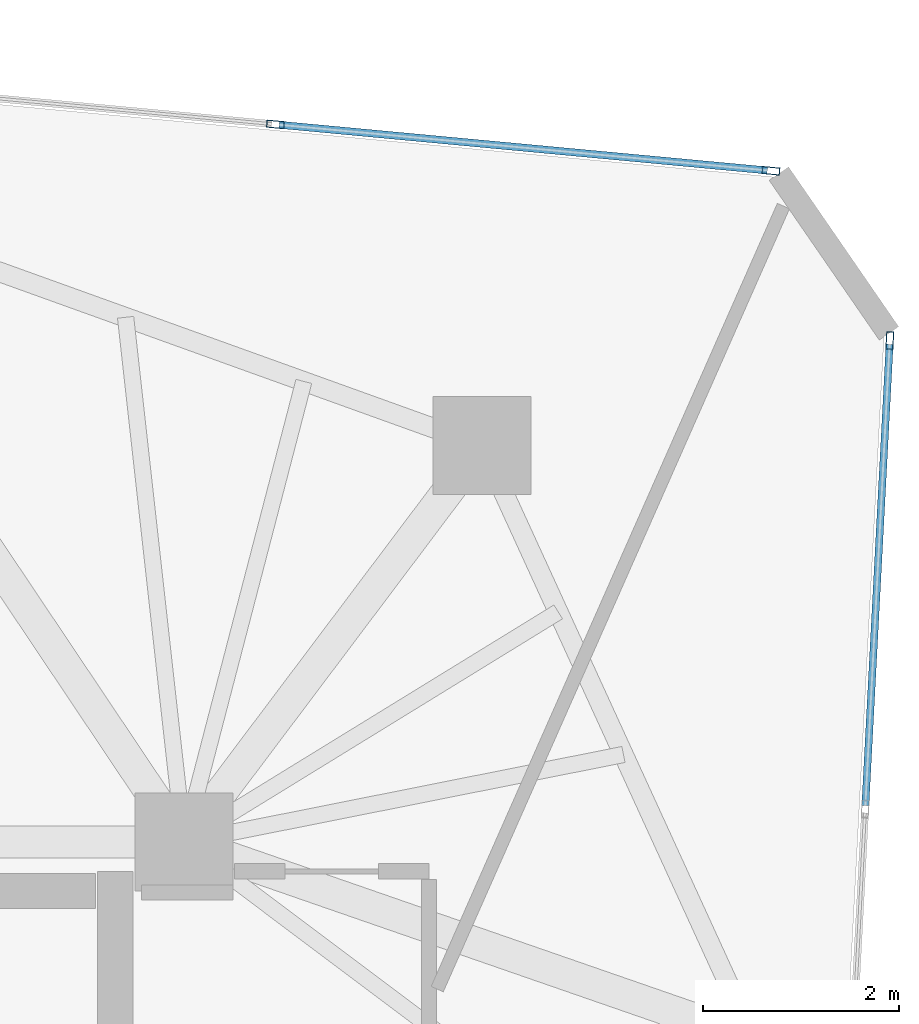
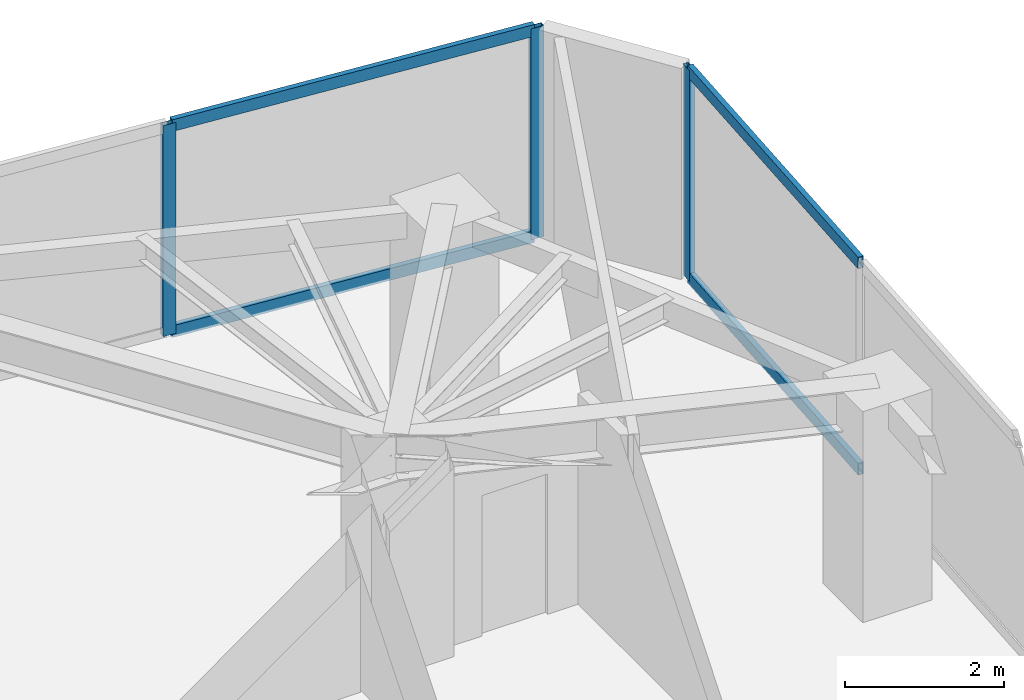
# One storey, part 14 of 19: 7 members, 2 elements without a shape of their own.
"""IFC4 building model written with IfcOpenShell, lengths in metres."""

import ifcopenshell
import ifcopenshell.guid

model = None  # the IFC model being written
_history = None  # IfcOwnerHistory: only IFC2X3 demands one
_inside = {}  # id of a spatial element -> (the spatial element, [elements in it])
_under = {}  # id of a project, library or spatial element -> (it, [spatial elements below it])
_declared = {}  # id of a project -> (the project, [libraries it declares])
_typed = {}  # id of a type object -> (the type object, [elements of that type])
_made_of = {}  # id of a material, layer set ... -> (it, [elements and type objects made of it])


def new_model(schema):
    """Start an empty IFC model of exactly this schema.

    Asked for "IFC4X3", IfcOpenShell would pick the latest addendum, in which some entities
    have other attributes; the version numbers below select the first issue.
    IFC2X3 requires an IfcOwnerHistory on every rooted entity: one is made here for all.
    """
    global model, _history
    if schema == "IFC4X3":
        model = ifcopenshell.file(schema_version=(4, 3, 0, 0))
    else:
        model = ifcopenshell.file(schema=schema)
    _inside.clear()
    _under.clear()
    _declared.clear()
    _typed.clear()
    _made_of.clear()
    _history = None
    if model.schema == "IFC2X3":
        org = make("IfcOrganization", Name="unknown")
        user = make(
            "IfcPersonAndOrganization",
            ThePerson=make("IfcPerson", FamilyName="unknown"),
            TheOrganization=org,
        )
        app = make(
            "IfcApplication",
            ApplicationDeveloper=org,
            Version="unknown",
            ApplicationFullName="unknown",
            ApplicationIdentifier="unknown",
        )
        _history = make(
            "IfcOwnerHistory",
            OwningUser=user,
            OwningApplication=app,
            ChangeAction="ADDED",
            CreationDate=0,
        )
    return model


def make(cls, **values):
    """One entity of the class cls with the attributes given. An attribute that is None is left unset."""
    return model.create_entity(
        cls, **{name: value for name, value in values.items() if value is not None}
    )


def rooted(cls, **values):
    """An entity with a GlobalId (a new one), such as an element, a storey or a relation."""
    return make(cls, GlobalId=ifcopenshell.guid.new(), OwnerHistory=_history, **values)


def si_unit(unit_type, name, prefix=None):
    """IfcSIUnit, for example si_unit("LENGTHUNIT", "METRE", prefix="MILLI")."""
    return make("IfcSIUnit", UnitType=unit_type, Prefix=prefix, Name=name)


def assignment(units):
    """IfcUnitAssignment: the units of a project."""
    return None if units is None else make("IfcUnitAssignment", Units=units)


def point(xyz):
    """IfcCartesianPoint."""
    return None if xyz is None else make("IfcCartesianPoint", Coordinates=xyz)


def direction(xyz):
    """IfcDirection."""
    return None if xyz is None else make("IfcDirection", DirectionRatios=xyz)


def frame(location, z_axis=None, x_axis=None):
    """IfcAxis2Placement3D, a coordinate frame: its origin and axes. An axis left out is left unset."""
    return make(
        "IfcAxis2Placement3D",
        Location=point(location),
        Axis=direction(z_axis),
        RefDirection=direction(x_axis),
    )


def frame_2d(location, x_axis=None):
    """IfcAxis2Placement2D, a coordinate frame in the plane: its origin and x axis."""
    return make(
        "IfcAxis2Placement2D", Location=point(location), RefDirection=direction(x_axis)
    )


def origin():
    """The frame at (0, 0, 0) with its axes left unset."""
    return frame((0.0, 0.0, 0.0))


def origin_2d():
    """The frame at (0, 0) in the plane with its x axis left unset."""
    return frame_2d((0.0, 0.0))


def place(relative_to, where):
    """IfcLocalPlacement: puts the frame where relative to a parent placement (None: the world)."""
    return make(
        "IfcLocalPlacement", PlacementRelTo=relative_to, RelativePlacement=where
    )


def context(
    kind, dimensions, precision=None, world=None, true_north=None, identifier=None
):
    """IfcGeometricRepresentationContext, for example the 3D "Model" context."""
    return make(
        "IfcGeometricRepresentationContext",
        ContextIdentifier=identifier,
        ContextType=kind,
        CoordinateSpaceDimension=dimensions,
        Precision=precision,
        WorldCoordinateSystem=world,
        TrueNorth=true_north,
    )


def subcontext(parent, identifier, kind, view, scale=None):
    """IfcGeometricRepresentationSubContext, for example "Body" below "Model"."""
    return make(
        "IfcGeometricRepresentationSubContext",
        ContextIdentifier=identifier,
        ContextType=kind,
        ParentContext=parent,
        TargetScale=scale,
        TargetView=view,
    )


def project(units=None, contexts=None):
    """IfcProject with its units and contexts."""
    return rooted(
        "IfcProject",
        Name="project",
        RepresentationContexts=contexts,
        UnitsInContext=assignment(units),
    )


def spatial(cls, under=None, at=None, **own):
    """A site, building, storey or space (cls), placed at a placement, below another one or the project."""
    s = rooted(cls, ObjectPlacement=at, **own)
    if under is not None:
        _under.setdefault(under.id(), (under, []))[1].append(s)
    return s


def profile(cls, at=None, kind="AREA", **sizes):
    """A parametric profile (cls). Its sizes go by their IFC names, for example OverallWidth=200.0."""
    return make(cls, ProfileType=kind, Position=at, **sizes)


def hollow_rectangle(**sizes):
    """IfcRectangleHollowProfileDef."""
    return profile("IfcRectangleHollowProfileDef", **sizes)


def extrude(swept, where, along, depth):
    """IfcExtrudedAreaSolid: the profile swept, set in the frame where, extruded along a direction by depth."""
    return make(
        "IfcExtrudedAreaSolid",
        SweptArea=swept,
        Position=where,
        ExtrudedDirection=direction(along),
        Depth=depth,
    )


def shape(context_of_items, identifier, shape_type, items):
    """IfcShapeRepresentation: the items that make up one representation, for example the "Body"."""
    return make(
        "IfcShapeRepresentation",
        ContextOfItems=context_of_items,
        RepresentationIdentifier=identifier,
        RepresentationType=shape_type,
        Items=items,
    )


def source(mapping_origin, context_of_items, identifier, shape_type, items):
    """IfcRepresentationMap: a shape defined once, which mapped items show again and again."""
    return make(
        "IfcRepresentationMap",
        MappingOrigin=mapping_origin,
        MappedRepresentation=shape(context_of_items, identifier, shape_type, items),
    )


def transform(
    local_origin,
    x_axis=None,
    y_axis=None,
    z_axis=None,
    scale=None,
    scale2=None,
    scale3=None,
    uniform=True,
):
    """IfcCartesianTransformationOperator3D, or its non-uniform kind. x_axis, y_axis, z_axis: its Axis1, 2, 3."""
    if uniform:
        return make(
            "IfcCartesianTransformationOperator3D",
            Axis1=direction(x_axis),
            Axis2=direction(y_axis),
            LocalOrigin=point(local_origin),
            Scale=scale,
            Axis3=direction(z_axis),
        )
    return make(
        "IfcCartesianTransformationOperator3DnonUniform",
        Axis1=direction(x_axis),
        Axis2=direction(y_axis),
        LocalOrigin=point(local_origin),
        Scale=scale,
        Axis3=direction(z_axis),
        Scale2=scale2,
        Scale3=scale3,
    )


def mapped(mapping_source, mapping_target):
    """IfcMappedItem: shows the shape of a source again, moved by a transform."""
    return make(
        "IfcMappedItem", MappingSource=mapping_source, MappingTarget=mapping_target
    )


def material(Name=None, Category=None):
    """IfcMaterial."""
    return make("IfcMaterial", Name=Name, Category=Category)


def layer(
    of_material, thickness, ventilated=None, Name=None, Category=None, Priority=None
):
    """IfcMaterialLayer: one layer of a wall or slab, of a material (None: an air gap)."""
    return make(
        "IfcMaterialLayer",
        Material=of_material,
        LayerThickness=thickness,
        IsVentilated=ventilated,
        Name=Name,
        Category=Category,
        Priority=Priority,
    )


def layer_set(layers, Name=None):
    """IfcMaterialLayerSet."""
    return make("IfcMaterialLayerSet", MaterialLayers=layers, LayerSetName=Name)


def material_profile(
    of_material, cross_section, Name=None, Category=None, Priority=None
):
    """IfcMaterialProfile: a cross section and its material."""
    return make(
        "IfcMaterialProfile",
        Name=Name,
        Material=of_material,
        Profile=cross_section,
        Priority=Priority,
        Category=Category,
    )


def profile_set(profiles, Name=None, composite=None):
    """IfcMaterialProfileSet."""
    return make(
        "IfcMaterialProfileSet",
        Name=Name,
        MaterialProfiles=profiles,
        CompositeProfile=composite,
    )


def made_of(thing, what):
    """Note that an element or type object is made of a material, layer set ...; save() writes the relation."""
    if what is not None:
        _made_of.setdefault(what.id(), (what, []))[1].append(thing)
    return thing


def type_object(cls, material=None, **own):
    """A type object (cls), such as IfcWallType, which elements share."""
    return made_of(rooted(cls, **own), material)


def type_shapes(of_type, sources):
    """Give a type object the sources (RepresentationMaps) that its elements show as mapped items."""
    of_type.RepresentationMaps = sources


def element(
    cls,
    number,
    at=None,
    inside=None,
    cuts=None,
    type_object=None,
    material=None,
    context=None,
    identifier="Body",
    shape_type=None,
    held_by="IfcProductDefinitionShape",
    body=None,
    shapes=None,
    **own,
):
    """One element of the class cls, such as IfcWall. Its Tag is "e" and its number.

    at: its placement. inside: the storey or other place that contains it. cuts: it is an
    opening in that element (IfcRelVoidsElement). A single representation is given by context,
    identifier, shape_type and body (its items); several are given by shapes. held_by: the class
    of the entity that holds the representations. save() writes the other relations.
    """
    e = rooted(cls, Tag="e%d" % number, ObjectPlacement=at, **own)
    if body is not None:
        shapes = [shape(context, identifier, shape_type, body)]
    if shapes is not None:
        e.Representation = make(held_by, Representations=shapes)
    if inside is not None:
        _inside.setdefault(inside.id(), (inside, []))[1].append(e)
    if cuts is not None:
        rooted(
            "IfcRelVoidsElement", RelatingBuildingElement=cuts, RelatedOpeningElement=e
        )
    if type_object is not None:
        _typed.setdefault(type_object.id(), (type_object, []))[1].append(e)
    return made_of(e, material)


def aggregate(whole, parts):
    """IfcRelAggregates: a whole, such as a stair, and the parts it consists of."""
    return rooted("IfcRelAggregates", RelatingObject=whole, RelatedObjects=parts)


def save(model, path):
    """Write the relations noted so far, then the file.

    IfcRelAggregates (storeys below a building ...), IfcRelContainedInSpatialStructure (elements
    in a storey), IfcRelDefinesByType, IfcRelAssociatesMaterial and IfcRelDeclares: one each for
    every whole, place, type object, material and project.
    """
    for whole, parts in _under.values():
        aggregate(whole, parts)
    for where, things in _inside.values():
        rooted(
            "IfcRelContainedInSpatialStructure",
            RelatedElements=things,
            RelatingStructure=where,
        )
    for kind, things in _typed.values():
        rooted("IfcRelDefinesByType", RelatedObjects=things, RelatingType=kind)
    for what, things in _made_of.values():
        rooted("IfcRelAssociatesMaterial", RelatedObjects=things, RelatingMaterial=what)
    for by, libraries in _declared.values():
        rooted("IfcRelDeclares", RelatingContext=by, RelatedDefinitions=libraries)
    model.write(path)


model = new_model("IFC4")

# Units and contexts
model_context = context("Model", 3, precision=1e-05, world=origin(), true_north=direction((0.0, 1.0)))
body_context = subcontext(model_context, "Body", "Model", "MODEL_VIEW")
ifc_project = project(units=[si_unit("LENGTHUNIT", "METRE"), si_unit("AREAUNIT", "SQUARE_METRE"), si_unit("VOLUMEUNIT", "CUBIC_METRE"), si_unit("PLANEANGLEUNIT", "RADIAN"), si_unit("MASSUNIT", "GRAM", prefix="KILO")], contexts=[model_context])

# Site, building, storey
site_placement = place(None, origin())
site = spatial("IfcSite", under=ifc_project, at=site_placement, CompositionType="ELEMENT")
building_placement = place(site_placement, origin())
building = spatial("IfcBuilding", under=site, at=building_placement, Name="Talar Marvaseh", CompositionType="ELEMENT")
storey_placement = place(building_placement, frame((0.0, 0.0, 218.699951171875)))
storey = spatial("IfcBuildingStorey", under=building, at=storey_placement, Name="L57", CompositionType="ELEMENT", Elevation=218.699951171875)

# Curtain wall, members
ifc_material = material(Name="Architectural Aluminium", Category="aluminium")
ifc_layer = layer(ifc_material, 0.18994140625)
ifc_layer_set = layer_set([ifc_layer], Name="Architectural Aluminium")
curtain_wall_type = type_object("IfcCurtainWallType", Name="Unitised Solar Atelier Curtain Wall Z3", PredefinedType="NOTDEFINED", material=ifc_layer_set)
curtain_wall_1_placement = place(storey_placement, origin())
curtain_wall_1 = element("IfcCurtainWall", 1, at=curtain_wall_1_placement, inside=storey, type_object=curtain_wall_type, Name="L57 Unitised Solar Atelier Curtain Wall Z3", PredefinedType="NOTDEFINED")
ifc_material_profile_1 = material_profile(ifc_material, hollow_rectangle(XDim=0.074951171875, YDim=0.179931640625, WallThickness=0.0048828125, at=origin_2d()), Name="RHS180x75x5")
ifc_profile_set_1 = profile_set([ifc_material_profile_1], Name="Architectural Aluminium")
member_type_1 = type_object("IfcMemberType", Name="Unitised Curtain Wall Standard Mullion RHS180x75x5", PredefinedType="MULLION", material=ifc_profile_set_1)
shared_shape_1 = source(origin(), body_context, "Body", "SweptSolid", [
    extrude(hollow_rectangle(XDim=0.074951171875, YDim=0.179931640625, WallThickness=0.0048828125, at=origin_2d()), origin(), (0.0, 0.0, 1.0), 3.22998046875),
])
type_shapes(member_type_1, [shared_shape_1])
member_1_placement = place(storey_placement, frame((34.233642578125, 44.21728515625, 0.0), z_axis=(0.0, 0.0, 1.0), x_axis=(0.093174095573, 0.995649831976, 0.0)))
member_1 = element("IfcMember", 2, at=member_1_placement, type_object=member_type_1, Name="CW-Z3 mullion 3", PredefinedType="MULLION", context=body_context, shape_type="MappedRepresentation", body=[
    mapped(shared_shape_1, transform((0.0, 0.0, 0.0), x_axis=(1.0, 0.0, 0.0), y_axis=(0.0, 1.0, 0.0), z_axis=(0.0, 0.0, 1.0), scale=1.0)),
])
member_2_placement = place(storey_placement, frame((39.286865234375, 43.744384765625, 0.0), z_axis=(0.0, 0.0, 1.0), x_axis=(0.093174095573, 0.995649831976, 0.0)))
member_2 = element("IfcMember", 3, at=member_2_placement, type_object=member_type_1, Name="CW-Z3 mullion 4", PredefinedType="MULLION", context=body_context, shape_type="MappedRepresentation", body=[
    mapped(shared_shape_1, transform((0.0, 0.0, 0.0), x_axis=(1.0, 0.0, 0.0), y_axis=(0.0, 1.0, 0.0), z_axis=(0.0, 0.0, 1.0), scale=1.0)),
])

# Curtain wall, member
curtain_wall_2_placement = place(storey_placement, origin())
curtain_wall_2 = element("IfcCurtainWall", 4, at=curtain_wall_2_placement, inside=storey, type_object=curtain_wall_type, Name="L57 Unitised Solar Atelier Curtain Wall Z3", PredefinedType="NOTDEFINED")
member_3_placement = place(storey_placement, frame((40.4990234375, 42.012451171875, 0.0), z_axis=(0.0, 0.0, 1.0), x_axis=(0.998621550515, -0.052488082901, 0.0)))
member_3 = element("IfcMember", 5, at=member_3_placement, type_object=member_type_1, Name="CW-Z3 mullion 1", PredefinedType="MULLION", context=body_context, shape_type="MappedRepresentation", body=[
    mapped(shared_shape_1, transform((0.0, 0.0, 0.0), x_axis=(1.0, 0.0, 0.0), y_axis=(0.0, 1.0, 0.0), z_axis=(0.0, 0.0, 1.0), scale=1.0)),
])

# Member
ifc_material_profile_2 = material_profile(ifc_material, hollow_rectangle(XDim=0.074951171875, YDim=0.179931640625, WallThickness=0.0048828125, at=origin_2d()), Name="RHS180x75x5")
ifc_profile_set_2 = profile_set([ifc_material_profile_2], Name="Architectural Aluminium")
member_type_2 = type_object("IfcMemberType", Name="Unitised Curtain Wall Transom RHS180x75x5", PredefinedType="USERDEFINED", material=ifc_profile_set_2)
shared_shape_2 = source(origin(), body_context, "Body", "SweptSolid", [
    extrude(hollow_rectangle(XDim=0.074951171875, YDim=0.179931640625, WallThickness=0.0048828125, at=origin_2d()), origin(), (0.0, 0.0, 1.0), 5.00048828125),
])
member_4_placement = place(storey_placement, frame((34.270751953125, 44.2138671875, 0.03759765625), z_axis=(0.995651648915, -0.093154677886, 0.0), x_axis=(0.093154677886, 0.995651648915, 0.0)))
member_4 = element("IfcMember", 6, at=member_4_placement, type_object=member_type_2, Name="CW-Z3 transom 3.1", ObjectType="TRANSOM", PredefinedType="USERDEFINED", context=body_context, shape_type="MappedRepresentation", body=[
    mapped(shared_shape_2, transform((0.0, 0.0, 0.0), x_axis=(1.0, 0.0, 0.0), y_axis=(0.0, 1.0, 0.0), z_axis=(0.0, 0.0, 1.0), scale=1.0)),
])

member_5_placement = place(storey_placement, frame((34.270751953125, 44.2138671875, 3.192626953125), z_axis=(0.995651648915, -0.093154677886, 0.0), x_axis=(0.093154677886, 0.995651648915, 0.0)))
member_5 = element("IfcMember", 7, at=member_5_placement, type_object=member_type_2, Name="CW-Z3 transom 3.2", ObjectType="TRANSOM", PredefinedType="USERDEFINED", context=body_context, shape_type="MappedRepresentation", body=[
    mapped(shared_shape_2, transform((0.0, 0.0, 0.0), x_axis=(1.0, 0.0, 0.0), y_axis=(0.0, 1.0, 0.0), z_axis=(0.0, 0.0, 1.0), scale=1.0)),
])

aggregate(curtain_wall_1, [member_1, member_2, member_4, member_5])

shared_shape_3 = source(origin(), body_context, "Body", "SweptSolid", [
    extrude(hollow_rectangle(XDim=0.074951171875, YDim=0.179931640625, WallThickness=0.0048828125, at=origin_2d()), origin(), (0.0, 0.0, 1.0), 4.709716796875),
])
type_shapes(member_type_2, [shared_shape_2, shared_shape_3])
member_6_placement = place(storey_placement, frame((40.4970703125, 41.974853515625, 0.03759765625), z_axis=(-0.05251257922, -0.998620262674, 0.0), x_axis=(0.998620262674, -0.05251257922, 0.0)))
member_6 = element("IfcMember", 8, at=member_6_placement, type_object=member_type_2, Name="CW-Z3 transom 1.1", ObjectType="TRANSOM", PredefinedType="USERDEFINED", context=body_context, shape_type="MappedRepresentation", body=[
    mapped(shared_shape_3, transform((0.0, 0.0, 0.0), x_axis=(1.0, 0.0, 0.0), y_axis=(0.0, 1.0, 0.0), z_axis=(0.0, 0.0, 1.0), scale=1.0)),
])

member_7_placement = place(storey_placement, frame((40.4970703125, 41.974853515625, 3.192626953125), z_axis=(-0.05251257922, -0.998620262674, 0.0), x_axis=(0.998620262674, -0.05251257922, 0.0)))
member_7 = element("IfcMember", 9, at=member_7_placement, type_object=member_type_2, Name="CW-Z3 transom 1.2", ObjectType="TRANSOM", PredefinedType="USERDEFINED", context=body_context, shape_type="MappedRepresentation", body=[
    mapped(shared_shape_3, transform((0.0, 0.0, 0.0), x_axis=(1.0, 0.0, 0.0), y_axis=(0.0, 1.0, 0.0), z_axis=(0.0, 0.0, 1.0), scale=1.0)),
])

aggregate(curtain_wall_2, [member_3, member_6, member_7])

save(model, "model.ifc")
